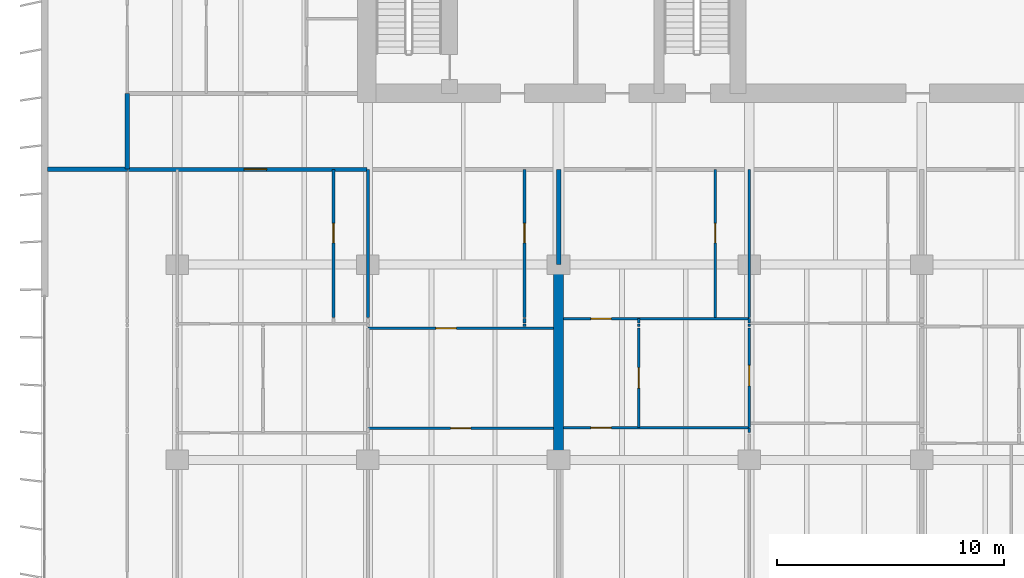
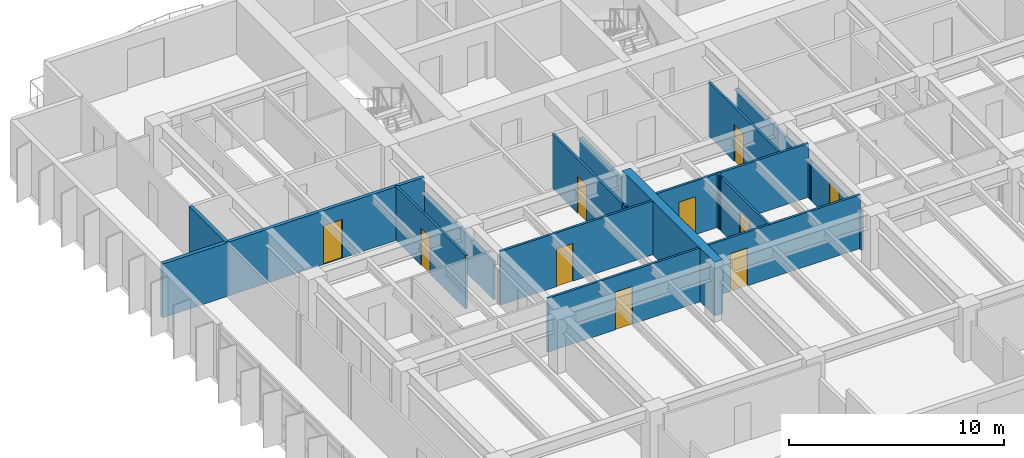
# One storey, part 7 of 20: 23 walls, 10 doors, 10 openings.
"""IFC4 building model written with IfcOpenShell, lengths in metres."""

from ifc_helpers import new_model, si_unit, direction, frame, frame_2d, origin, place, context, subcontext, project, spatial, rectangle, extrude, material, layer, layer_set, type_object, element, fill, save


model = new_model("IFC4")

# Units and contexts
model_context = context("Model", 3, precision=1e-05, world=origin(), true_north=direction((0.0, 1.0)))
body_context = subcontext(model_context, "Body", "Model", "MODEL_VIEW")
ifc_project = project(units=[si_unit("LENGTHUNIT", "METRE"), si_unit("AREAUNIT", "SQUARE_METRE"), si_unit("VOLUMEUNIT", "CUBIC_METRE"), si_unit("PLANEANGLEUNIT", "RADIAN"), si_unit("MASSUNIT", "GRAM", prefix="KILO")], contexts=[model_context])

# Site, building, storey
site_placement = place(None, origin())
site = spatial("IfcSite", under=ifc_project, at=site_placement, CompositionType="ELEMENT")
building_placement = place(site_placement, origin())
building = spatial("IfcBuilding", under=site, at=building_placement, Name="Caelmar Bay Residences", CompositionType="ELEMENT")
storey_placement = place(building_placement, frame((0.0, 0.0, 119.10009765625)))
storey = spatial("IfcBuildingStorey", under=building, at=storey_placement, Name="L32", CompositionType="ELEMENT", Elevation=119.10009765625)

# Walls
ifc_material_1 = material(Name="Concrete f'c 55 MPa (8,000 psi)", Category="concrete")
ifc_layer_1 = layer(ifc_material_1, 0.449951171875)
ifc_layer_set_1 = layer_set([ifc_layer_1], Name="Concrete f'c 55 MPa (8,000 psi)")
wall_type_1 = type_object("IfcWallType", Name="SW-XSLB-450", PredefinedType="SHEAR", material=ifc_layer_set_1)
wall_1_placement = place(storey_placement, frame((26.699951171875, 20.800048828125, 0.0), z_axis=(0.0, 0.0, 1.0), x_axis=(0.0, 1.0, 0.0)))
element("IfcWall", 1, at=wall_1_placement, inside=storey, type_object=wall_type_1, Name="L32 Transverse Cross-Slab Shear Wall W5", PredefinedType="SHEAR", context=body_context, shape_type="SweptSolid", body=[
    extrude(rectangle(XDim=8.599853515625, YDim=0.449951171875, at=frame_2d((4.2998046875, 0.0))), origin(), (0.0, 0.0, 1.0), 3.0498046875),
])
ifc_material_2 = material(Name="Double-stud acoustic fire-rated gypsum partition 180 mm")
ifc_layer_2 = layer(ifc_material_2, 0.179931640625)
ifc_layer_set_2 = layer_set([ifc_layer_2], Name="Double-stud acoustic fire-rated gypsum partition 180 mm")
wall_type_2 = type_object("IfcWallType", Name="W-COR-200", PredefinedType="PARTITIONING", material=ifc_layer_set_2)
wall_2_placement = place(storey_placement, frame((7.699951171875, 33.60498046875, 0.0), z_axis=(0.0, 0.0, 1.0), x_axis=(0.0, 1.0, 0.0)))
element("IfcWall", 2, at=wall_2_placement, inside=storey, type_object=wall_type_2, Name="L32 Partition Wall V007", PredefinedType="PARTITIONING", context=body_context, shape_type="SweptSolid", body=[
    extrude(rectangle(XDim=3.344970703125, YDim=0.179931640625, at=frame_2d((1.67236328125, 0.0))), origin(), (0.0, 0.0, 1.0), 3.0498046875),
])

# Wall, opening, door
wall_3_placement = place(storey_placement, frame((7.705078125, 33.60009765625, 0.0), z_axis=(0.0, 0.0, 1.0), x_axis=(1.0, 0.0, 0.0)))
wall_3 = element("IfcWall", 3, at=wall_3_placement, inside=storey, type_object=wall_type_2, Name="L32 Partition Wall H144", PredefinedType="PARTITIONING", context=body_context, shape_type="SweptSolid", body=[
    extrude(rectangle(XDim=10.544921875, YDim=0.179931640625, at=frame_2d((5.2724609375, 0.0))), origin(), (0.0, 0.0, 1.0), 3.0498046875),
])
opening_1_placement = place(wall_3_placement, frame((5.137451171875, 0.0, 0.0)))
opening_1 = element("IfcOpeningElement", 4, at=opening_1_placement, cuts=wall_3, Name="Opening D-L32-122", PredefinedType="OPENING", context=body_context, shape_type="SweptSolid", body=[
    extrude(rectangle(XDim=1.0, YDim=2.199951171875, at=frame_2d((0.5, 1.10009765625))), frame((0.0, 0.099853515625, 0.0), z_axis=(0.0, -1.0, 0.0), x_axis=(1.0, 0.0, 0.0)), (0.0, 0.0, 1.0), 0.199951171875),
])
ifc_material_3 = material(Name="Fire-rated steel and walnut architectural door assembly", Category="steel")
ifc_layer_3 = layer(ifc_material_3, 0.050048828125)
ifc_layer_set_3 = layer_set([ifc_layer_3], Name="Fire-rated steel and walnut architectural door assembly")
door_type_1 = type_object("IfcDoorType", Name="D-UNIT-1000", OperationType="NOTDEFINED", PredefinedType="DOOR", material=ifc_layer_set_3)
door_1_placement = place(opening_1_placement, origin())
door_1 = element("IfcDoor", 5, at=door_1_placement, inside=storey, type_object=door_type_1, Name="L32 Residence 01 Apartment Hall Door", OperationType="SINGLE_SWING_RIGHT", OverallHeight=2.199951171875, OverallWidth=1.0, PredefinedType="DOOR", context=body_context, shape_type="SweptSolid", body=[
    extrude(rectangle(XDim=1.0, YDim=2.199951171875, at=frame_2d((0.5, 1.10009765625))), frame((0.0, 0.02490234375, 0.0), z_axis=(0.0, -1.0, 0.0), x_axis=(1.0, 0.0, 0.0)), (0.0, 0.0, 1.0), 0.050048828125),
])
fill(opening_1, door_1)

ifc_material_4 = material(Name="Acoustic metal-stud gypsum partition 120 mm")
ifc_layer_4 = layer(ifc_material_4, 0.1201171875)
ifc_layer_set_4 = layer_set([ifc_layer_4], Name="Acoustic metal-stud gypsum partition 120 mm")
wall_type_3 = type_object("IfcWallType", Name="W-PRT-120", PredefinedType="PARTITIONING", material=ifc_layer_set_4)
wall_4_placement = place(storey_placement, frame((16.784912109375, 27.080078125, 0.0), z_axis=(0.0, 0.0, 1.0), x_axis=(0.0, 1.0, 0.0)))
wall_4 = element("IfcWall", 6, at=wall_4_placement, inside=storey, type_object=wall_type_3, Name="L32 Partition Wall V023", PredefinedType="PARTITIONING", context=body_context, shape_type="SweptSolid", body=[
    extrude(rectangle(XDim=6.52001953125, YDim=0.1201171875, at=frame_2d((3.260009765625, 0.0))), origin(), (0.0, 0.0, 1.0), 3.0498046875),
])
opening_2_placement = place(wall_4_placement, frame((3.284912109375, 0.0, 0.0)))
opening_2 = element("IfcOpeningElement", 7, at=opening_2_placement, cuts=wall_4, Name="Opening D-L32-123", PredefinedType="OPENING", context=body_context, shape_type="SweptSolid", body=[
    extrude(rectangle(XDim=0.85009765625, YDim=2.10009765625, at=frame_2d((0.425048828125, 1.050048828125))), frame((0.0, 0.070068359375, 0.0), z_axis=(0.0, -1.0, 0.0), x_axis=(1.0, 0.0, 0.0)), (0.0, 0.0, 1.0), 0.14013671875),
])
ifc_material_5 = material(Name="Solid walnut timber interior door leaf and frame", Category="wood")
ifc_layer_5 = layer(ifc_material_5, 0.050048828125)
ifc_layer_set_5 = layer_set([ifc_layer_5], Name="Solid walnut timber interior door leaf and frame")
door_type_2 = type_object("IfcDoorType", Name="D-BATH-850", OperationType="NOTDEFINED", PredefinedType="DOOR", material=ifc_layer_set_5)
door_2_placement = place(opening_2_placement, origin())
door_2 = element("IfcDoor", 8, at=door_2_placement, inside=storey, type_object=door_type_2, Name="L32 Residence 01 Guest Bathroom Door", OperationType="SINGLE_SWING_LEFT", OverallHeight=2.10009765625, OverallWidth=0.85009765625, PredefinedType="DOOR", context=body_context, shape_type="SweptSolid", body=[
    extrude(rectangle(XDim=0.85009765625, YDim=2.10009765625, at=frame_2d((0.425048828125, 1.050048828125))), frame((0.0, 0.02490234375, 0.0), z_axis=(0.0, -1.0, 0.0), x_axis=(1.0, 0.0, 0.0)), (0.0, 0.0, 1.0), 0.050048828125),
])
fill(opening_2, door_2)

# Walls
wall_5_placement = place(storey_placement, frame((18.300048828125, 27.080078125, 0.0), z_axis=(0.0, 0.0, 1.0), x_axis=(0.0, 1.0, 0.0)))
element("IfcWall", 9, at=wall_5_placement, inside=storey, type_object=wall_type_3, Name="L32 Partition Wall V030", PredefinedType="PARTITIONING", context=body_context, shape_type="SweptSolid", body=[
    extrude(rectangle(XDim=6.52001953125, YDim=0.1201171875, at=frame_2d((3.260009765625, 0.0))), origin(), (0.0, 0.0, 1.0), 2.173828125),
])
wall_6_placement = place(storey_placement, frame((25.199951171875, 26.679931640625, 0.0), z_axis=(0.0, 0.0, 1.0), x_axis=(0.0, 1.0, 0.0)))
element("IfcWall", 10, at=wall_6_placement, inside=storey, type_object=wall_type_3, Name="L32 Partition Wall V032", PredefinedType="PARTITIONING", context=body_context, shape_type="SweptSolid", body=[
    extrude(rectangle(XDim=0.10009765625, YDim=0.1201171875, at=frame_2d((0.050048828125, 0.0))), origin(), (0.0, 0.0, 1.0), 3.0498046875),
])
wall_7_placement = place(storey_placement, frame((25.199951171875, 26.820068359375, 0.0), z_axis=(0.0, 0.0, 1.0), x_axis=(0.0, 1.0, 0.0)))
element("IfcWall", 11, at=wall_7_placement, inside=storey, type_object=wall_type_3, Name="L32 Partition Wall V033", PredefinedType="PARTITIONING", context=body_context, shape_type="SweptSolid", body=[
    extrude(rectangle(XDim=0.199951171875, YDim=0.1201171875, at=frame_2d((0.10009765625, 0.0))), origin(), (0.0, 0.0, 1.0), 3.0498046875),
])

# Wall, opening, door
wall_8_placement = place(storey_placement, frame((25.199951171875, 27.080078125, 0.0), z_axis=(0.0, 0.0, 1.0), x_axis=(0.0, 1.0, 0.0)))
wall_8 = element("IfcWall", 12, at=wall_8_placement, inside=storey, type_object=wall_type_3, Name="L32 Partition Wall V034", PredefinedType="PARTITIONING", context=body_context, shape_type="SweptSolid", body=[
    extrude(rectangle(XDim=6.52001953125, YDim=0.1201171875, at=frame_2d((3.260009765625, 0.0))), origin(), (0.0, 0.0, 1.0), 3.0498046875),
])
opening_3_placement = place(wall_8_placement, frame((3.284912109375, 0.0, 0.0)))
opening_3 = element("IfcOpeningElement", 13, at=opening_3_placement, cuts=wall_8, Name="Opening D-L32-129", PredefinedType="OPENING", context=body_context, shape_type="SweptSolid", body=[
    extrude(rectangle(XDim=0.85009765625, YDim=2.10009765625, at=frame_2d((0.425048828125, 1.050048828125))), frame((0.0, 0.070068359375, 0.0), z_axis=(0.0, -1.0, 0.0), x_axis=(1.0, 0.0, 0.0)), (0.0, 0.0, 1.0), 0.14013671875),
])
door_3_placement = place(opening_3_placement, origin())
door_3 = element("IfcDoor", 14, at=door_3_placement, inside=storey, type_object=door_type_2, Name="L32 Residence 01 En-Suite Bathroom 1 Door", OperationType="SINGLE_SWING_LEFT", OverallHeight=2.10009765625, OverallWidth=0.85009765625, PredefinedType="DOOR", context=body_context, shape_type="SweptSolid", body=[
    extrude(rectangle(XDim=0.85009765625, YDim=2.10009765625, at=frame_2d((0.425048828125, 1.050048828125))), frame((0.0, 0.02490234375, 0.0), z_axis=(0.0, -1.0, 0.0), x_axis=(1.0, 0.0, 0.0)), (0.0, 0.0, 1.0), 0.050048828125),
])
fill(opening_3, door_3)

wall_9_placement = place(storey_placement, frame((30.22802734375, 22.219970703125, 0.0), z_axis=(0.0, 0.0, 1.0), x_axis=(0.0, 1.0, 0.0)))
wall_9 = element("IfcWall", 15, at=wall_9_placement, inside=storey, type_object=wall_type_3, Name="L32 Partition Wall V041", PredefinedType="PARTITIONING", context=body_context, shape_type="SweptSolid", body=[
    extrude(rectangle(XDim=4.380126953125, YDim=0.1201171875, at=frame_2d((2.18994140625, 0.0))), origin(), (0.0, 0.0, 1.0), 3.0498046875),
])
opening_4_placement = place(wall_9_placement, frame((1.739990234375, 0.0, 0.0)))
opening_4 = element("IfcOpeningElement", 16, at=opening_4_placement, cuts=wall_9, Name="Opening D-L32-136", PredefinedType="OPENING", context=body_context, shape_type="SweptSolid", body=[
    extrude(rectangle(XDim=0.89990234375, YDim=2.14990234375, at=frame_2d((0.449951171875, 1.074951171875))), frame((0.0, 0.070068359375, 0.0), z_axis=(0.0, -1.0, 0.0), x_axis=(1.0, 0.0, 0.0)), (0.0, 0.0, 1.0), 0.14013671875),
])
ifc_layer_6 = layer(ifc_material_5, 0.050048828125)
ifc_layer_set_6 = layer_set([ifc_layer_6], Name="Solid walnut timber interior door leaf and frame")
door_type_3 = type_object("IfcDoorType", Name="D-ROOM-900", OperationType="NOTDEFINED", PredefinedType="DOOR", material=ifc_layer_set_6)
door_4_placement = place(opening_4_placement, origin())
door_4 = element("IfcDoor", 17, at=door_4_placement, inside=storey, type_object=door_type_3, Name="L32 Residence 02 Kitchen Door", OperationType="SINGLE_SWING_RIGHT", OverallHeight=2.14990234375, OverallWidth=0.89990234375, PredefinedType="DOOR", context=body_context, shape_type="SweptSolid", body=[
    extrude(rectangle(XDim=0.89990234375, YDim=2.14990234375, at=frame_2d((0.449951171875, 1.074951171875))), frame((0.0, 0.02490234375, 0.0), z_axis=(0.0, -1.0, 0.0), x_axis=(1.0, 0.0, 0.0)), (0.0, 0.0, 1.0), 0.050048828125),
])
fill(opening_4, door_4)

# Walls
wall_10_placement = place(storey_placement, frame((30.22802734375, 26.679931640625, 0.0), z_axis=(0.0, 0.0, 1.0), x_axis=(0.0, 1.0, 0.0)))
element("IfcWall", 18, at=wall_10_placement, inside=storey, type_object=wall_type_3, Name="L32 Partition Wall V042", PredefinedType="PARTITIONING", context=body_context, shape_type="SweptSolid", body=[
    extrude(rectangle(XDim=0.10009765625, YDim=0.1201171875, at=frame_2d((0.050048828125, 0.0))), origin(), (0.0, 0.0, 1.0), 3.0498046875),
])
wall_11_placement = place(storey_placement, frame((30.22802734375, 26.820068359375, 0.0), z_axis=(0.0, 0.0, 1.0), x_axis=(0.0, 1.0, 0.0)))
element("IfcWall", 19, at=wall_11_placement, inside=storey, type_object=wall_type_3, Name="L32 Partition Wall V043", PredefinedType="PARTITIONING", context=body_context, shape_type="SweptSolid", body=[
    extrude(rectangle(XDim=0.199951171875, YDim=0.1201171875, at=frame_2d((0.10009765625, 0.0))), origin(), (0.0, 0.0, 1.0), 3.0498046875),
])

# Wall, opening, door
wall_12_placement = place(storey_placement, frame((33.60009765625, 27.080078125, 0.0), z_axis=(0.0, 0.0, 1.0), x_axis=(0.0, 1.0, 0.0)))
wall_12 = element("IfcWall", 20, at=wall_12_placement, inside=storey, type_object=wall_type_3, Name="L32 Partition Wall V045", PredefinedType="PARTITIONING", context=body_context, shape_type="SweptSolid", body=[
    extrude(rectangle(XDim=6.52001953125, YDim=0.1201171875, at=frame_2d((3.260009765625, 0.0))), origin(), (0.0, 0.0, 1.0), 3.0498046875),
])
opening_5_placement = place(wall_12_placement, frame((3.284912109375, 0.0, 0.0)))
opening_5 = element("IfcOpeningElement", 21, at=opening_5_placement, cuts=wall_12, Name="Opening D-L32-134", PredefinedType="OPENING", context=body_context, shape_type="SweptSolid", body=[
    extrude(rectangle(XDim=0.85009765625, YDim=2.10009765625, at=frame_2d((0.425048828125, 1.050048828125))), frame((0.0, 0.070068359375, 0.0), z_axis=(0.0, -1.0, 0.0), x_axis=(1.0, 0.0, 0.0)), (0.0, 0.0, 1.0), 0.14013671875),
])
door_5_placement = place(opening_5_placement, origin())
door_5 = element("IfcDoor", 22, at=door_5_placement, inside=storey, type_object=door_type_2, Name="L32 Residence 02 Guest Bathroom Door", OperationType="SINGLE_SWING_RIGHT", OverallHeight=2.10009765625, OverallWidth=0.85009765625, PredefinedType="DOOR", context=body_context, shape_type="SweptSolid", body=[
    extrude(rectangle(XDim=0.85009765625, YDim=2.10009765625, at=frame_2d((0.425048828125, 1.050048828125))), frame((0.0, 0.02490234375, 0.0), z_axis=(0.0, -1.0, 0.0), x_axis=(1.0, 0.0, 0.0)), (0.0, 0.0, 1.0), 0.050048828125),
])
fill(opening_5, door_5)

# Wall
wall_13_placement = place(storey_placement, frame((35.10009765625, 22.0, 0.0), z_axis=(0.0, 0.0, 1.0), x_axis=(0.0, 1.0, 0.0)))
element("IfcWall", 23, at=wall_13_placement, inside=storey, type_object=wall_type_3, Name="L32 Partition Wall V048", PredefinedType="PARTITIONING", context=body_context, shape_type="SweptSolid", body=[
    extrude(rectangle(XDim=0.199951171875, YDim=0.1201171875, at=frame_2d((0.10009765625, 0.0))), origin(), (0.0, 0.0, 1.0), 2.173828125),
])

# Wall, opening, door
wall_14_placement = place(storey_placement, frame((35.10009765625, 22.219970703125, 0.0), z_axis=(0.0, 0.0, 1.0), x_axis=(0.0, 1.0, 0.0)))
wall_14 = element("IfcWall", 24, at=wall_14_placement, inside=storey, type_object=wall_type_3, Name="L32 Partition Wall V049", PredefinedType="PARTITIONING", context=body_context, shape_type="SweptSolid", body=[
    extrude(rectangle(XDim=4.380126953125, YDim=0.1201171875, at=frame_2d((2.18994140625, 0.0))), origin(), (0.0, 0.0, 1.0), 2.173828125),
])
opening_6_placement = place(wall_14_placement, frame((1.840087890625, 0.0, 0.0)))
opening_6 = element("IfcOpeningElement", 25, at=opening_6_placement, cuts=wall_14, Name="Opening D-L32-138", PredefinedType="OPENING", context=body_context, shape_type="SweptSolid", body=[
    extrude(rectangle(XDim=0.89990234375, YDim=2.1240234375, at=frame_2d((0.449951171875, 1.06201171875))), frame((0.0, 0.070068359375, 0.0), z_axis=(0.0, -1.0, 0.0), x_axis=(1.0, 0.0, 0.0)), (0.0, 0.0, 1.0), 0.14013671875),
])
door_6_placement = place(opening_6_placement, origin())
door_6 = element("IfcDoor", 26, at=door_6_placement, inside=storey, type_object=door_type_3, Name="L32 Residence 02 Conference Study 1 Door", OperationType="SINGLE_SWING_RIGHT", OverallHeight=2.1240234375, OverallWidth=0.89990234375, PredefinedType="DOOR", context=body_context, shape_type="SweptSolid", body=[
    extrude(rectangle(XDim=0.89990234375, YDim=2.1240234375, at=frame_2d((0.449951171875, 1.06201171875))), frame((0.0, 0.02490234375, 0.0), z_axis=(0.0, -1.0, 0.0), x_axis=(1.0, 0.0, 0.0)), (0.0, 0.0, 1.0), 0.050048828125),
])
fill(opening_6, door_6)

# Walls
wall_15_placement = place(storey_placement, frame((35.10009765625, 26.679931640625, 0.0), z_axis=(0.0, 0.0, 1.0), x_axis=(0.0, 1.0, 0.0)))
element("IfcWall", 27, at=wall_15_placement, inside=storey, type_object=wall_type_3, Name="L32 Partition Wall V050", PredefinedType="PARTITIONING", context=body_context, shape_type="SweptSolid", body=[
    extrude(rectangle(XDim=0.10009765625, YDim=0.1201171875, at=frame_2d((0.050048828125, 0.0))), origin(), (0.0, 0.0, 1.0), 2.173828125),
])
wall_16_placement = place(storey_placement, frame((35.10009765625, 26.820068359375, 0.0), z_axis=(0.0, 0.0, 1.0), x_axis=(0.0, 1.0, 0.0)))
element("IfcWall", 28, at=wall_16_placement, inside=storey, type_object=wall_type_3, Name="L32 Partition Wall V051", PredefinedType="PARTITIONING", context=body_context, shape_type="SweptSolid", body=[
    extrude(rectangle(XDim=0.199951171875, YDim=0.1201171875, at=frame_2d((0.10009765625, 0.0))), origin(), (0.0, 0.0, 1.0), 2.173828125),
])
wall_17_placement = place(storey_placement, frame((35.10009765625, 27.080078125, 0.0), z_axis=(0.0, 0.0, 1.0), x_axis=(0.0, 1.0, 0.0)))
element("IfcWall", 29, at=wall_17_placement, inside=storey, type_object=wall_type_3, Name="L32 Partition Wall V052", PredefinedType="PARTITIONING", context=body_context, shape_type="SweptSolid", body=[
    extrude(rectangle(XDim=6.52001953125, YDim=0.1201171875, at=frame_2d((3.260009765625, 0.0))), origin(), (0.0, 0.0, 1.0), 2.173828125),
])

# Wall, opening, door
wall_18_placement = place(storey_placement, frame((18.300048828125, 22.199951171875, 0.0), z_axis=(0.0, 0.0, 1.0), x_axis=(1.0, 0.0, 0.0)))
wall_18 = element("IfcWall", 30, at=wall_18_placement, inside=storey, type_object=wall_type_3, Name="L32 Partition Wall H133", PredefinedType="PARTITIONING", context=body_context, shape_type="SweptSolid", body=[
    extrude(rectangle(XDim=8.179931640625, YDim=0.1201171875, at=frame_2d((4.08984375, 0.0))), origin(), (0.0, 0.0, 1.0), 3.0498046875),
])
opening_7_placement = place(wall_18_placement, frame((3.639892578125, 0.0, 0.0)))
opening_7 = element("IfcOpeningElement", 31, at=opening_7_placement, cuts=wall_18, Name="Opening D-L32-130", PredefinedType="OPENING", context=body_context, shape_type="SweptSolid", body=[
    extrude(rectangle(XDim=0.89990234375, YDim=2.14990234375, at=frame_2d((0.449951171875, 1.074951171875))), frame((0.0, 0.070068359375, 0.0), z_axis=(0.0, -1.0, 0.0), x_axis=(1.0, 0.0, 0.0)), (0.0, 0.0, 1.0), 0.14013671875),
])
door_7_placement = place(opening_7_placement, origin())
door_7 = element("IfcDoor", 32, at=door_7_placement, inside=storey, type_object=door_type_3, Name="L32 Residence 01 Penthouse Sitting Salon 1 Door", OperationType="SINGLE_SWING_RIGHT", OverallHeight=2.14990234375, OverallWidth=0.89990234375, PredefinedType="DOOR", context=body_context, shape_type="SweptSolid", body=[
    extrude(rectangle(XDim=0.89990234375, YDim=2.14990234375, at=frame_2d((0.449951171875, 1.074951171875))), frame((0.0, 0.02490234375, 0.0), z_axis=(0.0, -1.0, 0.0), x_axis=(1.0, 0.0, 0.0)), (0.0, 0.0, 1.0), 0.050048828125),
])
fill(opening_7, door_7)

wall_19_placement = place(storey_placement, frame((26.919921875, 22.219970703125, 0.0), z_axis=(0.0, 0.0, 1.0), x_axis=(1.0, 0.0, 0.0)))
wall_19 = element("IfcWall", 33, at=wall_19_placement, inside=storey, type_object=wall_type_3, Name="L32 Partition Wall H134", PredefinedType="PARTITIONING", context=body_context, shape_type="SweptSolid", body=[
    extrude(rectangle(XDim=8.18017578125, YDim=0.1201171875, at=frame_2d((4.090087890625, 0.0))), origin(), (0.0, 0.0, 1.0), 3.0498046875),
])
opening_8_placement = place(wall_19_placement, frame((1.2041015625, 0.0, 0.0)))
opening_8 = element("IfcOpeningElement", 34, at=opening_8_placement, cuts=wall_19, Name="Opening D-L32-137", PredefinedType="OPENING", context=body_context, shape_type="SweptSolid", body=[
    extrude(rectangle(XDim=0.89990234375, YDim=2.14990234375, at=frame_2d((0.449951171875, 1.074951171875))), frame((0.0, 0.070068359375, 0.0), z_axis=(0.0, -1.0, 0.0), x_axis=(1.0, 0.0, 0.0)), (0.0, 0.0, 1.0), 0.14013671875),
])
door_8_placement = place(opening_8_placement, origin())
door_8 = element("IfcDoor", 35, at=door_8_placement, inside=storey, type_object=door_type_3, Name="L32 Residence 02 Penthouse Living Salon Door", OperationType="SINGLE_SWING_LEFT", OverallHeight=2.14990234375, OverallWidth=0.89990234375, PredefinedType="DOOR", context=body_context, shape_type="SweptSolid", body=[
    extrude(rectangle(XDim=0.89990234375, YDim=2.14990234375, at=frame_2d((0.449951171875, 1.074951171875))), frame((0.0, 0.02490234375, 0.0), z_axis=(0.0, -1.0, 0.0), x_axis=(1.0, 0.0, 0.0)), (0.0, 0.0, 1.0), 0.050048828125),
])
fill(opening_8, door_8)

wall_20_placement = place(storey_placement, frame((18.300048828125, 26.60009765625, 0.0), z_axis=(0.0, 0.0, 1.0), x_axis=(1.0, 0.0, 0.0)))
wall_20 = element("IfcWall", 36, at=wall_20_placement, inside=storey, type_object=wall_type_3, Name="L32 Partition Wall H136", PredefinedType="PARTITIONING", context=body_context, shape_type="SweptSolid", body=[
    extrude(rectangle(XDim=8.179931640625, YDim=0.1201171875, at=frame_2d((4.08984375, 0.0))), origin(), (0.0, 0.0, 1.0), 3.0498046875),
])
opening_9_placement = place(wall_20_placement, frame((3.0, 0.0, 0.0)))
opening_9 = element("IfcOpeningElement", 37, at=opening_9_placement, cuts=wall_20, Name="Opening D-L32-128", PredefinedType="OPENING", context=body_context, shape_type="SweptSolid", body=[
    extrude(rectangle(XDim=0.89990234375, YDim=2.14990234375, at=frame_2d((0.449951171875, 1.074951171875))), frame((0.0, 0.070068359375, 0.0), z_axis=(0.0, -1.0, 0.0), x_axis=(1.0, 0.0, 0.0)), (0.0, 0.0, 1.0), 0.14013671875),
])
door_9_placement = place(opening_9_placement, origin())
door_9 = element("IfcDoor", 38, at=door_9_placement, inside=storey, type_object=door_type_3, Name="L32 Residence 01 Private Meeting Room 1 Door", OperationType="SINGLE_SWING_RIGHT", OverallHeight=2.14990234375, OverallWidth=0.89990234375, PredefinedType="DOOR", context=body_context, shape_type="SweptSolid", body=[
    extrude(rectangle(XDim=0.89990234375, YDim=2.14990234375, at=frame_2d((0.449951171875, 1.074951171875))), frame((0.0, 0.02490234375, 0.0), z_axis=(0.0, -1.0, 0.0), x_axis=(1.0, 0.0, 0.0)), (0.0, 0.0, 1.0), 0.050048828125),
])
fill(opening_9, door_9)

wall_21_placement = place(storey_placement, frame((26.919921875, 27.02001953125, 0.0), z_axis=(0.0, 0.0, 1.0), x_axis=(1.0, 0.0, 0.0)))
wall_21 = element("IfcWall", 39, at=wall_21_placement, inside=storey, type_object=wall_type_3, Name="L32 Partition Wall H141", PredefinedType="PARTITIONING", context=body_context, shape_type="SweptSolid", body=[
    extrude(rectangle(XDim=8.175048828125, YDim=0.1201171875, at=frame_2d((4.08740234375, 0.0))), origin(), (0.0, 0.0, 1.0), 3.0498046875),
])
opening_10_placement = place(wall_21_placement, frame((1.2041015625, 0.0, 0.0)))
opening_10 = element("IfcOpeningElement", 40, at=opening_10_placement, cuts=wall_21, Name="Opening D-L32-135", PredefinedType="OPENING", context=body_context, shape_type="SweptSolid", body=[
    extrude(rectangle(XDim=0.89990234375, YDim=2.14990234375, at=frame_2d((0.449951171875, 1.074951171875))), frame((0.0, 0.070068359375, 0.0), z_axis=(0.0, -1.0, 0.0), x_axis=(1.0, 0.0, 0.0)), (0.0, 0.0, 1.0), 0.14013671875),
])
door_10_placement = place(opening_10_placement, origin())
door_10 = element("IfcDoor", 41, at=door_10_placement, inside=storey, type_object=door_type_3, Name="L32 Residence 02 Dining Room Door", OperationType="SINGLE_SWING_LEFT", OverallHeight=2.14990234375, OverallWidth=0.89990234375, PredefinedType="DOOR", context=body_context, shape_type="SweptSolid", body=[
    extrude(rectangle(XDim=0.89990234375, YDim=2.14990234375, at=frame_2d((0.449951171875, 1.074951171875))), frame((0.0, 0.02490234375, 0.0), z_axis=(0.0, -1.0, 0.0), x_axis=(1.0, 0.0, 0.0)), (0.0, 0.0, 1.0), 0.050048828125),
])
fill(opening_10, door_10)

# Walls
ifc_material_6 = material(Name="Acoustic twin-stud fire-rated inter-tenancy partition 200 mm")
ifc_layer_7 = layer(ifc_material_6, 0.199951171875)
ifc_layer_set_7 = layer_set([ifc_layer_7], Name="Acoustic twin-stud fire-rated inter-tenancy partition 200 mm")
wall_type_4 = type_object("IfcWallType", Name="W-PTY-200", PredefinedType="PARTITIONING", material=ifc_layer_set_7)
wall_22_placement = place(storey_placement, frame((26.699951171875, 29.405029296875, 0.0), z_axis=(0.0, 0.0, 1.0), x_axis=(0.0, 1.0, 0.0)))
element("IfcWall", 42, at=wall_22_placement, inside=storey, type_object=wall_type_4, Name="L32 Partition Wall V038", PredefinedType="PARTITIONING", context=body_context, shape_type="SweptSolid", body=[
    extrude(rectangle(XDim=4.195068359375, YDim=0.199951171875, at=frame_2d((2.09765625, 0.0))), origin(), (0.0, 0.0, 1.0), 2.3349609375),
])
wall_23_placement = place(storey_placement, frame((4.195068359375, 33.60009765625, 0.0), z_axis=(0.0, 0.0, 1.0), x_axis=(1.0, 0.0, 0.0)))
element("IfcWall", 43, at=wall_23_placement, inside=storey, type_object=wall_type_4, Name="L32 Partition Wall H143", PredefinedType="PARTITIONING", context=body_context, shape_type="SweptSolid", body=[
    extrude(rectangle(XDim=3.5048828125, YDim=0.199951171875, at=frame_2d((1.75244140625, 0.0))), origin(), (0.0, 0.0, 1.0), 3.0498046875),
])

save(model, "model.ifc")
